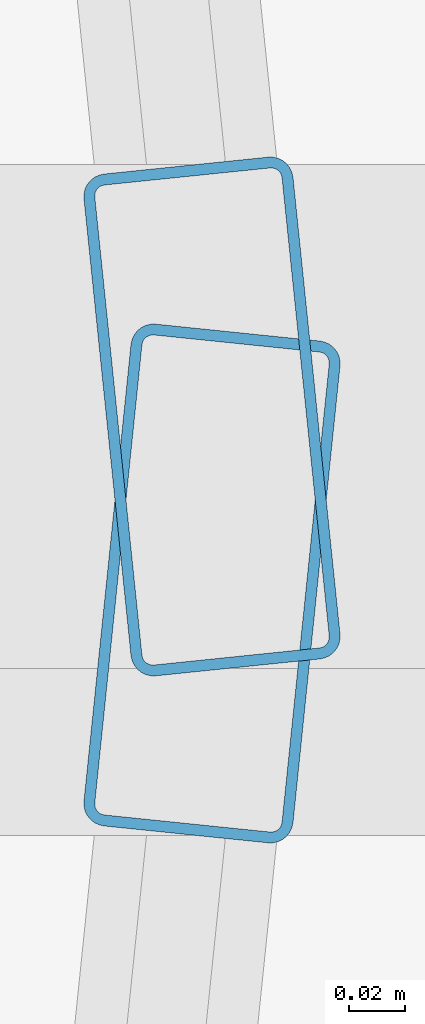
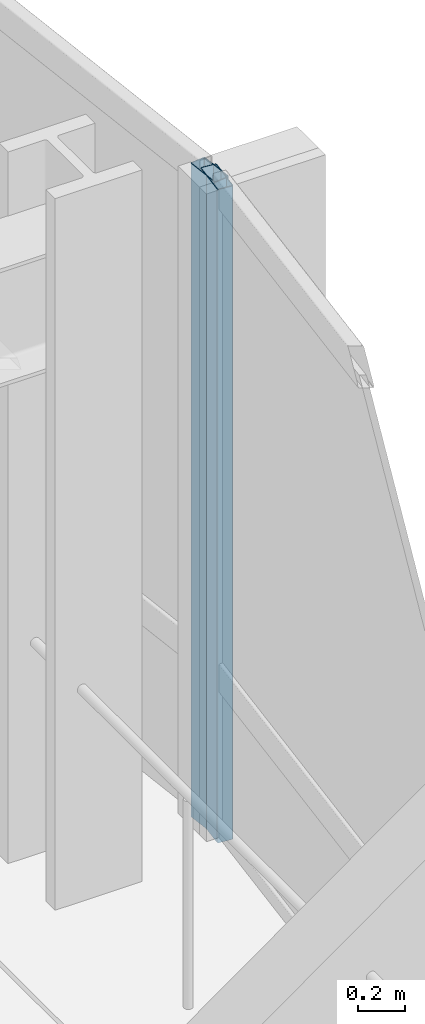
# One storey, part 25 of 34: 2 members, 2 elements without a shape of their own.
"""IFC4 building model written with IfcOpenShell, lengths in metres."""

from ifc_helpers import new_model, si_unit, direction, frame, origin, origin_2d, place, context, subcontext, project, spatial, hollow_rectangle, extrude, material, layer, layer_set, material_profile, profile_set, type_object, element, aggregate, save


model = new_model("IFC4")

# Units and contexts
model_context = context("Model", 3, precision=1e-05, world=origin(), true_north=direction((0.0, 1.0)))
body_context = subcontext(model_context, "Body", "Model", "MODEL_VIEW")
ifc_project = project(units=[si_unit("LENGTHUNIT", "METRE"), si_unit("AREAUNIT", "SQUARE_METRE"), si_unit("VOLUMEUNIT", "CUBIC_METRE"), si_unit("PLANEANGLEUNIT", "RADIAN"), si_unit("MASSUNIT", "GRAM", prefix="KILO")], contexts=[model_context])

# Site, building, storey
site_placement = place(None, origin())
site = spatial("IfcSite", under=ifc_project, at=site_placement, CompositionType="ELEMENT")
building_placement = place(site_placement, origin())
building = spatial("IfcBuilding", under=site, at=building_placement, Name="Solvaryn Broadcast Tower", CompositionType="ELEMENT")
storey_placement = place(building_placement, frame((0.0, 0.0, 96.5)))
storey = spatial("IfcBuildingStorey", under=building, at=storey_placement, Name="L23", CompositionType="ELEMENT", Elevation=96.5)

# Curtain wall, member
ifc_material_1 = material(Name="Aluminium and Terracotta Unitised Curtain Wall", Category="masonry")
ifc_layer = layer(ifc_material_1, 0.199951171875)
ifc_layer_set = layer_set([ifc_layer], Name="CW-SYS2-LOWMID")
curtain_wall_type = type_object("IfcCurtainWallType", Name="CW-SYS2-LOWMID", PredefinedType="NOTDEFINED", material=ifc_layer_set)
curtain_wall_1_placement = place(storey_placement, origin())
curtain_wall_1 = element("IfcCurtainWall", 1, at=curtain_wall_1_placement, inside=storey, type_object=curtain_wall_type, Name="L23 Curtain Wall ET1", PredefinedType="NOTDEFINED")
ifc_material_2 = material(Name="Anodised Aluminium 6063-T6", Category="aluminium")
ifc_material_profile = material_profile(ifc_material_2, hollow_rectangle(XDim=0.074951171875, YDim=0.179931640625, WallThickness=0.00390625, InnerFilletRadius=0.00390625, OuterFilletRadius=0.008056640625, at=origin_2d()))
ifc_profile_set = profile_set([ifc_material_profile], Name="Anodised Aluminium 6063-T6")
member_type = type_object("IfcMemberType", Name="CW-MUL-180", PredefinedType="MULLION", material=ifc_profile_set)
member_1_placement = place(storey_placement, frame((63.697021484375, 18.02978515625, 0.0), z_axis=(0.0, 0.0, 1.0), x_axis=(0.99474329889, 0.10240004548, 0.0)))
member_1 = element("IfcMember", 2, at=member_1_placement, type_object=member_type, Name="CWS2 mullion 2", PredefinedType="MULLION", context=body_context, shape_type="SweptSolid", body=[
    extrude(hollow_rectangle(XDim=0.074951171875, YDim=0.179931640625, WallThickness=0.00390625, InnerFilletRadius=0.00390625, OuterFilletRadius=0.008056640625, at=origin_2d()), origin(), (0.0, 0.0, 1.0), 3.3701171875),
])
aggregate(curtain_wall_1, [member_1])

curtain_wall_2_placement = place(storey_placement, origin())
curtain_wall_2 = element("IfcCurtainWall", 3, at=curtain_wall_2_placement, inside=storey, type_object=curtain_wall_type, Name="L23 Curtain Wall ET2", PredefinedType="NOTDEFINED")
member_2_placement = place(storey_placement, frame((63.697021484375, 17.97021484375, 0.0), z_axis=(0.0, 0.0, 1.0), x_axis=(0.99474329889, -0.10240004548, 0.0)))
member_2 = element("IfcMember", 4, at=member_2_placement, type_object=member_type, Name="CWS2 mullion 1", PredefinedType="MULLION", context=body_context, shape_type="SweptSolid", body=[
    extrude(hollow_rectangle(XDim=0.074951171875, YDim=0.179931640625, WallThickness=0.00390625, InnerFilletRadius=0.00390625, OuterFilletRadius=0.008056640625, at=origin_2d()), origin(), (0.0, 0.0, 1.0), 3.3701171875),
])
aggregate(curtain_wall_2, [member_2])

save(model, "model.ifc")
